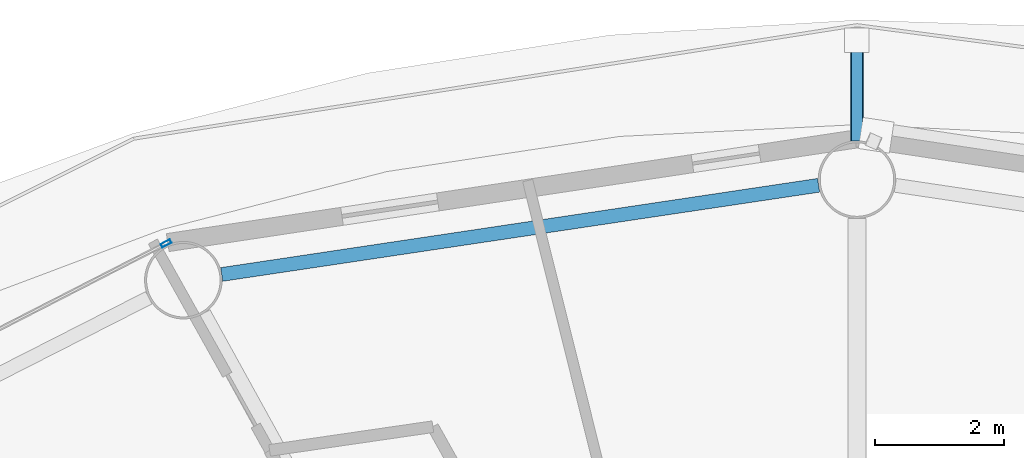
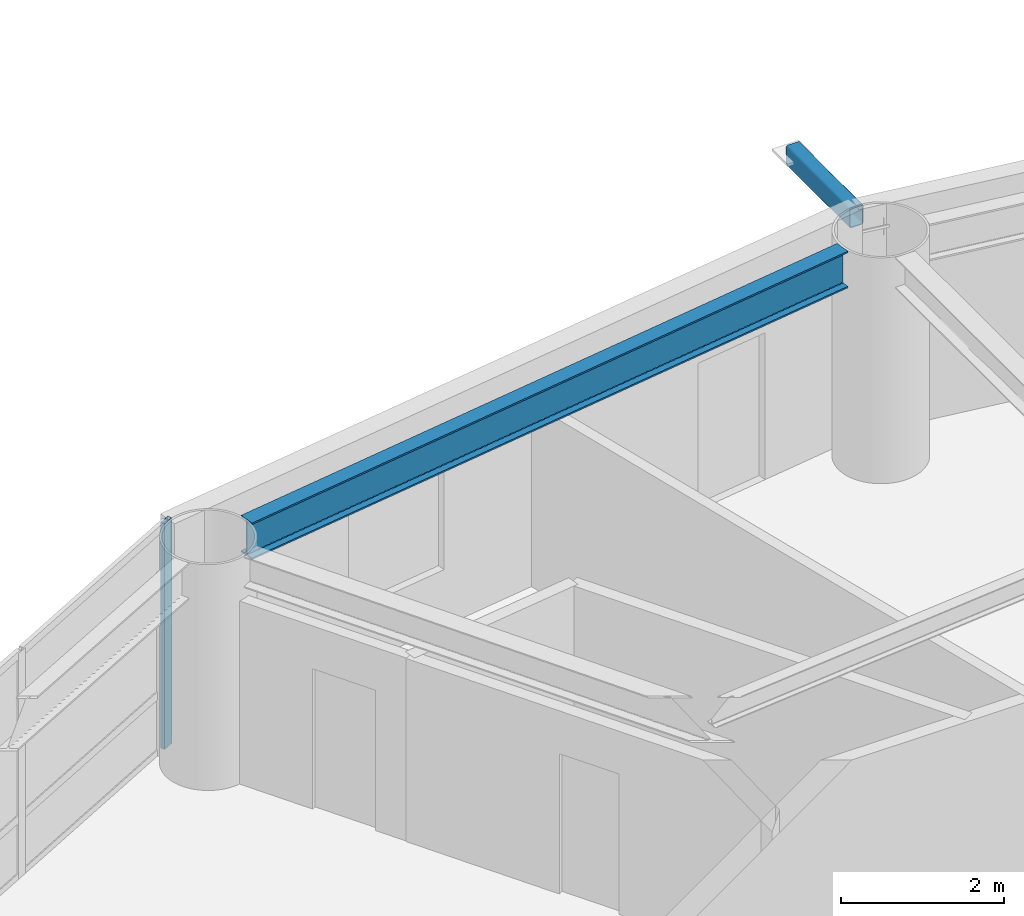
# One storey, part 13 of 28: 2 members, 1 beam, 1 element without a shape of its own.
"""IFC4 building model written with IfcOpenShell, lengths in metres."""

import ifcopenshell
import ifcopenshell.guid

model = None  # the IFC model being written
_history = None  # IfcOwnerHistory: only IFC2X3 demands one
_inside = {}  # id of a spatial element -> (the spatial element, [elements in it])
_under = {}  # id of a project, library or spatial element -> (it, [spatial elements below it])
_declared = {}  # id of a project -> (the project, [libraries it declares])
_typed = {}  # id of a type object -> (the type object, [elements of that type])
_made_of = {}  # id of a material, layer set ... -> (it, [elements and type objects made of it])


def new_model(schema):
    """Start an empty IFC model of exactly this schema.

    Asked for "IFC4X3", IfcOpenShell would pick the latest addendum, in which some entities
    have other attributes; the version numbers below select the first issue.
    IFC2X3 requires an IfcOwnerHistory on every rooted entity: one is made here for all.
    """
    global model, _history
    if schema == "IFC4X3":
        model = ifcopenshell.file(schema_version=(4, 3, 0, 0))
    else:
        model = ifcopenshell.file(schema=schema)
    _inside.clear()
    _under.clear()
    _declared.clear()
    _typed.clear()
    _made_of.clear()
    _history = None
    if model.schema == "IFC2X3":
        org = make("IfcOrganization", Name="unknown")
        user = make(
            "IfcPersonAndOrganization",
            ThePerson=make("IfcPerson", FamilyName="unknown"),
            TheOrganization=org,
        )
        app = make(
            "IfcApplication",
            ApplicationDeveloper=org,
            Version="unknown",
            ApplicationFullName="unknown",
            ApplicationIdentifier="unknown",
        )
        _history = make(
            "IfcOwnerHistory",
            OwningUser=user,
            OwningApplication=app,
            ChangeAction="ADDED",
            CreationDate=0,
        )
    return model


def make(cls, **values):
    """One entity of the class cls with the attributes given. An attribute that is None is left unset."""
    return model.create_entity(
        cls, **{name: value for name, value in values.items() if value is not None}
    )


def rooted(cls, **values):
    """An entity with a GlobalId (a new one), such as an element, a storey or a relation."""
    return make(cls, GlobalId=ifcopenshell.guid.new(), OwnerHistory=_history, **values)


def si_unit(unit_type, name, prefix=None):
    """IfcSIUnit, for example si_unit("LENGTHUNIT", "METRE", prefix="MILLI")."""
    return make("IfcSIUnit", UnitType=unit_type, Prefix=prefix, Name=name)


def assignment(units):
    """IfcUnitAssignment: the units of a project."""
    return None if units is None else make("IfcUnitAssignment", Units=units)


def point(xyz):
    """IfcCartesianPoint."""
    return None if xyz is None else make("IfcCartesianPoint", Coordinates=xyz)


def direction(xyz):
    """IfcDirection."""
    return None if xyz is None else make("IfcDirection", DirectionRatios=xyz)


def frame(location, z_axis=None, x_axis=None):
    """IfcAxis2Placement3D, a coordinate frame: its origin and axes. An axis left out is left unset."""
    return make(
        "IfcAxis2Placement3D",
        Location=point(location),
        Axis=direction(z_axis),
        RefDirection=direction(x_axis),
    )


def frame_2d(location, x_axis=None):
    """IfcAxis2Placement2D, a coordinate frame in the plane: its origin and x axis."""
    return make(
        "IfcAxis2Placement2D", Location=point(location), RefDirection=direction(x_axis)
    )


def origin():
    """The frame at (0, 0, 0) with its axes left unset."""
    return frame((0.0, 0.0, 0.0))


def origin_2d():
    """The frame at (0, 0) in the plane with its x axis left unset."""
    return frame_2d((0.0, 0.0))


def place(relative_to, where):
    """IfcLocalPlacement: puts the frame where relative to a parent placement (None: the world)."""
    return make(
        "IfcLocalPlacement", PlacementRelTo=relative_to, RelativePlacement=where
    )


def context(
    kind, dimensions, precision=None, world=None, true_north=None, identifier=None
):
    """IfcGeometricRepresentationContext, for example the 3D "Model" context."""
    return make(
        "IfcGeometricRepresentationContext",
        ContextIdentifier=identifier,
        ContextType=kind,
        CoordinateSpaceDimension=dimensions,
        Precision=precision,
        WorldCoordinateSystem=world,
        TrueNorth=true_north,
    )


def subcontext(parent, identifier, kind, view, scale=None):
    """IfcGeometricRepresentationSubContext, for example "Body" below "Model"."""
    return make(
        "IfcGeometricRepresentationSubContext",
        ContextIdentifier=identifier,
        ContextType=kind,
        ParentContext=parent,
        TargetScale=scale,
        TargetView=view,
    )


def project(units=None, contexts=None):
    """IfcProject with its units and contexts."""
    return rooted(
        "IfcProject",
        Name="project",
        RepresentationContexts=contexts,
        UnitsInContext=assignment(units),
    )


def spatial(cls, under=None, at=None, **own):
    """A site, building, storey or space (cls), placed at a placement, below another one or the project."""
    s = rooted(cls, ObjectPlacement=at, **own)
    if under is not None:
        _under.setdefault(under.id(), (under, []))[1].append(s)
    return s


def profile(cls, at=None, kind="AREA", **sizes):
    """A parametric profile (cls). Its sizes go by their IFC names, for example OverallWidth=200.0."""
    return make(cls, ProfileType=kind, Position=at, **sizes)


def hollow_rectangle(**sizes):
    """IfcRectangleHollowProfileDef."""
    return profile("IfcRectangleHollowProfileDef", **sizes)


def i_section(**sizes):
    """IfcIShapeProfileDef."""
    return profile("IfcIShapeProfileDef", **sizes)


def extrude(swept, where, along, depth):
    """IfcExtrudedAreaSolid: the profile swept, set in the frame where, extruded along a direction by depth."""
    return make(
        "IfcExtrudedAreaSolid",
        SweptArea=swept,
        Position=where,
        ExtrudedDirection=direction(along),
        Depth=depth,
    )


def shape(context_of_items, identifier, shape_type, items):
    """IfcShapeRepresentation: the items that make up one representation, for example the "Body"."""
    return make(
        "IfcShapeRepresentation",
        ContextOfItems=context_of_items,
        RepresentationIdentifier=identifier,
        RepresentationType=shape_type,
        Items=items,
    )


def material(Name=None, Category=None):
    """IfcMaterial."""
    return make("IfcMaterial", Name=Name, Category=Category)


def layer(
    of_material, thickness, ventilated=None, Name=None, Category=None, Priority=None
):
    """IfcMaterialLayer: one layer of a wall or slab, of a material (None: an air gap)."""
    return make(
        "IfcMaterialLayer",
        Material=of_material,
        LayerThickness=thickness,
        IsVentilated=ventilated,
        Name=Name,
        Category=Category,
        Priority=Priority,
    )


def layer_set(layers, Name=None):
    """IfcMaterialLayerSet."""
    return make("IfcMaterialLayerSet", MaterialLayers=layers, LayerSetName=Name)


def material_profile(
    of_material, cross_section, Name=None, Category=None, Priority=None
):
    """IfcMaterialProfile: a cross section and its material."""
    return make(
        "IfcMaterialProfile",
        Name=Name,
        Material=of_material,
        Profile=cross_section,
        Priority=Priority,
        Category=Category,
    )


def profile_set(profiles, Name=None, composite=None):
    """IfcMaterialProfileSet."""
    return make(
        "IfcMaterialProfileSet",
        Name=Name,
        MaterialProfiles=profiles,
        CompositeProfile=composite,
    )


def made_of(thing, what):
    """Note that an element or type object is made of a material, layer set ...; save() writes the relation."""
    if what is not None:
        _made_of.setdefault(what.id(), (what, []))[1].append(thing)
    return thing


def type_object(cls, material=None, **own):
    """A type object (cls), such as IfcWallType, which elements share."""
    return made_of(rooted(cls, **own), material)


def element(
    cls,
    number,
    at=None,
    inside=None,
    cuts=None,
    type_object=None,
    material=None,
    context=None,
    identifier="Body",
    shape_type=None,
    held_by="IfcProductDefinitionShape",
    body=None,
    shapes=None,
    **own,
):
    """One element of the class cls, such as IfcWall. Its Tag is "e" and its number.

    at: its placement. inside: the storey or other place that contains it. cuts: it is an
    opening in that element (IfcRelVoidsElement). A single representation is given by context,
    identifier, shape_type and body (its items); several are given by shapes. held_by: the class
    of the entity that holds the representations. save() writes the other relations.
    """
    e = rooted(cls, Tag="e%d" % number, ObjectPlacement=at, **own)
    if body is not None:
        shapes = [shape(context, identifier, shape_type, body)]
    if shapes is not None:
        e.Representation = make(held_by, Representations=shapes)
    if inside is not None:
        _inside.setdefault(inside.id(), (inside, []))[1].append(e)
    if cuts is not None:
        rooted(
            "IfcRelVoidsElement", RelatingBuildingElement=cuts, RelatedOpeningElement=e
        )
    if type_object is not None:
        _typed.setdefault(type_object.id(), (type_object, []))[1].append(e)
    return made_of(e, material)


def aggregate(whole, parts):
    """IfcRelAggregates: a whole, such as a stair, and the parts it consists of."""
    return rooted("IfcRelAggregates", RelatingObject=whole, RelatedObjects=parts)


def save(model, path):
    """Write the relations noted so far, then the file.

    IfcRelAggregates (storeys below a building ...), IfcRelContainedInSpatialStructure (elements
    in a storey), IfcRelDefinesByType, IfcRelAssociatesMaterial and IfcRelDeclares: one each for
    every whole, place, type object, material and project.
    """
    for whole, parts in _under.values():
        aggregate(whole, parts)
    for where, things in _inside.values():
        rooted(
            "IfcRelContainedInSpatialStructure",
            RelatedElements=things,
            RelatingStructure=where,
        )
    for kind, things in _typed.values():
        rooted("IfcRelDefinesByType", RelatedObjects=things, RelatingType=kind)
    for what, things in _made_of.values():
        rooted("IfcRelAssociatesMaterial", RelatedObjects=things, RelatingMaterial=what)
    for by, libraries in _declared.values():
        rooted("IfcRelDeclares", RelatingContext=by, RelatedDefinitions=libraries)
    model.write(path)


model = new_model("IFC4")

# Units and contexts
model_context = context("Model", 3, precision=1e-05, world=origin(), true_north=direction((0.0, 1.0)))
body_context = subcontext(model_context, "Body", "Model", "MODEL_VIEW")
ifc_project = project(units=[si_unit("LENGTHUNIT", "METRE"), si_unit("AREAUNIT", "SQUARE_METRE"), si_unit("VOLUMEUNIT", "CUBIC_METRE"), si_unit("PLANEANGLEUNIT", "RADIAN"), si_unit("MASSUNIT", "GRAM", prefix="KILO")], contexts=[model_context])

# Site, building, storey
site_placement = place(None, origin())
site = spatial("IfcSite", under=ifc_project, at=site_placement, CompositionType="ELEMENT")
building_placement = place(site_placement, origin())
building = spatial("IfcBuilding", under=site, at=building_placement, Name="Sarneth Arch Tower", CompositionType="ELEMENT")
storey_placement = place(building_placement, frame((0.0, 0.0, 183.0)))
storey = spatial("IfcBuildingStorey", under=building, at=storey_placement, Name="L46", CompositionType="ELEMENT", Elevation=183.0)

# Beam
ifc_material_1 = material(Name="Steel S355", Category="steel")
ifc_material_profile_1 = material_profile(ifc_material_1, i_section(OverallWidth=0.214111328125, OverallDepth=0.549072265625, WebThickness=0.0146484375, FlangeThickness=0.023681640625, FilletRadius=0.01806640625, at=origin_2d()), Name="W530x138")
ifc_profile_set_1 = profile_set([ifc_material_profile_1], Name="Steel S355")
beam_type = type_object("IfcBeamType", Name="BM-RAD-530A", PredefinedType="BEAM", material=ifc_profile_set_1)
beam_placement = place(storey_placement, frame((47.406494140625, 62.361328125, 3.10546875), z_axis=(-0.98902783755, -0.147729267756, 0.0), x_axis=(0.147729267756, -0.98902783755, 0.0)))
element("IfcBeam", 1, at=beam_placement, inside=storey, type_object=beam_type, Name="L46 Perimeter spandrel beam 05", PredefinedType="BEAM", context=body_context, shape_type="SweptSolid", body=[
    extrude(i_section(OverallWidth=0.214111328125, OverallDepth=0.549072265625, WebThickness=0.0146484375, FlangeThickness=0.023681640625, FilletRadius=0.01806640625, at=origin_2d()), origin(), (0.0, 0.0, 1.0), 9.33740234375),
])

# Curtain wall, member
ifc_material_2 = material(Name="Anodised aluminium Type AA25 and solar-control low-e laminated IGU", Category="aluminium")
ifc_layer = layer(ifc_material_2, 0.169921875)
ifc_layer_set = layer_set([ifc_layer], Name="Anodised aluminium Type AA25 and solar-control low-e laminated IGU")
curtain_wall_type = type_object("IfcCurtainWallType", Name="CW-RES-MID", PredefinedType="NOTDEFINED", material=ifc_layer_set)
curtain_wall_placement = place(storey_placement, origin())
curtain_wall = element("IfcCurtainWall", 2, at=curtain_wall_placement, inside=storey, type_object=curtain_wall_type, Name="L46 Unitised curtain wall facet 06", PredefinedType="NOTDEFINED")
ifc_material_3 = material(Name="Anodised Aluminium 6063-T6", Category="aluminium")
ifc_material_profile_2 = material_profile(ifc_material_3, hollow_rectangle(XDim=0.06005859375, YDim=0.159912109375, WallThickness=0.00390625, at=origin_2d()), Name="AL-MULL-160x60x4")
ifc_profile_set_2 = profile_set([ifc_material_profile_2], Name="Anodised Aluminium 6063-T6")
member_type_1 = type_object("IfcMemberType", Name="CW-MULLION", PredefinedType="MULLION", material=ifc_profile_set_2)
member_1_placement = place(storey_placement, frame((37.310546875, 61.461669921875, 0.0), z_axis=(0.0, 0.0, 1.0), x_axis=(0.456208470329, -0.88987293003, 0.0)))
member_1 = element("IfcMember", 3, at=member_1_placement, type_object=member_type_1, Name="CW-SYS-5 mullion 1", PredefinedType="MULLION", context=body_context, shape_type="SweptSolid", body=[
    extrude(hollow_rectangle(XDim=0.06005859375, YDim=0.159912109375, WallThickness=0.00390625, at=origin_2d()), origin(), (0.0, 0.0, 1.0), 3.3798828125),
])
aggregate(curtain_wall, [member_1])

# Member
ifc_material_4 = material(Name="Steel S355", Category="steel")
ifc_material_profile_3 = material_profile(ifc_material_4, hollow_rectangle(XDim=0.199951171875, YDim=0.300048828125, WallThickness=0.012451171875, InnerFilletRadius=0.018798828125, OuterFilletRadius=0.03125, at=origin_2d()), Name="RHS300x200x12.5")
ifc_profile_set_3 = profile_set([ifc_material_profile_3], Name="Steel S355")
member_type_2 = type_object("IfcMemberType", Name="MEM-CANT-STRUT", PredefinedType="STRUT", material=ifc_profile_set_3)
member_2_placement = place(storey_placement, frame((48.0, 63.050048828125, 3.219970703125), z_axis=(0.0, 1.0, 0.0), x_axis=(-1.0, 0.0, 0.0)))
element("IfcMember", 4, at=member_2_placement, inside=storey, type_object=member_type_2, Name="L46 Balcony cantilever bracket 05", PredefinedType="STRUT", context=body_context, shape_type="SweptSolid", body=[
    extrude(hollow_rectangle(XDim=0.199951171875, YDim=0.300048828125, WallThickness=0.012451171875, InnerFilletRadius=0.018798828125, OuterFilletRadius=0.03125, at=origin_2d()), origin(), (0.0, 0.0, 1.0), 1.552490234375),
])

save(model, "model.ifc")
